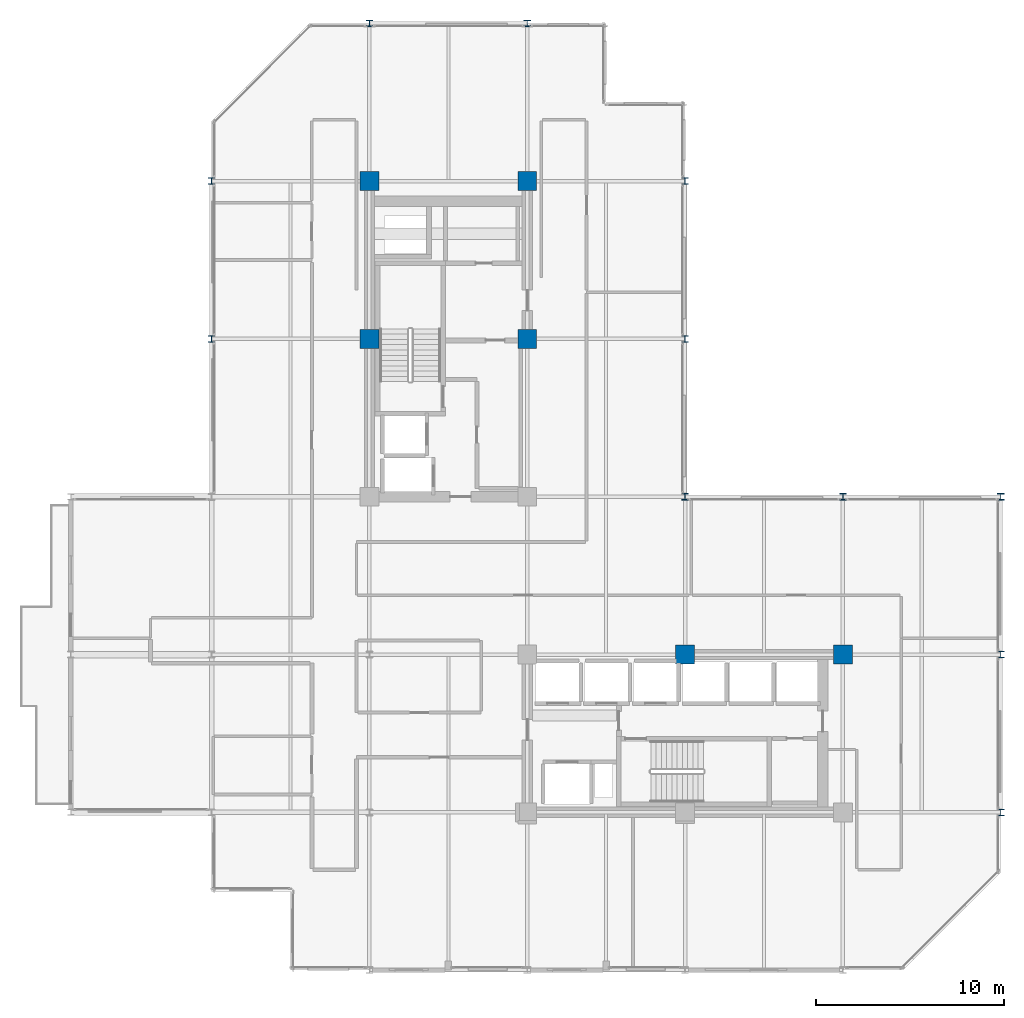
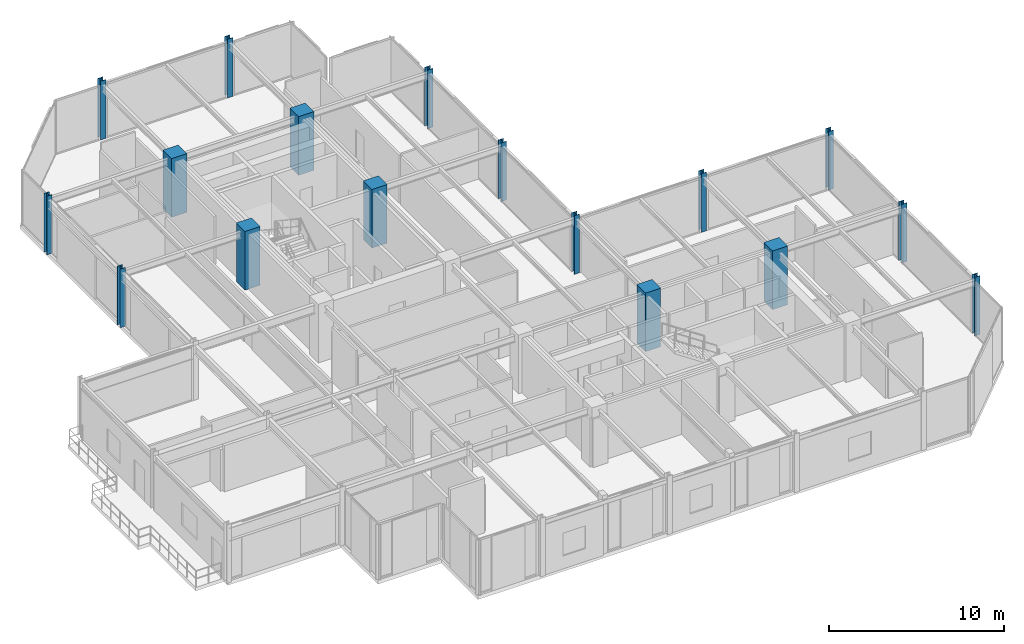
# One storey, part 2 of 29: 17 columns.
"""IFC4 building model written with IfcOpenShell, lengths in metres."""

from ifc_helpers import new_model, si_unit, direction, frame, origin, origin_2d, place, context, subcontext, project, spatial, rectangle, i_section, extrude, material, material_profile, profile_set, type_object, element, save


model = new_model("IFC4")

# Units and contexts
model_context = context("Model", 3, precision=1e-05, world=origin(), true_north=direction((0.0, 1.0)))
body_context = subcontext(model_context, "Body", "Model", "MODEL_VIEW")
ifc_project = project(units=[si_unit("LENGTHUNIT", "METRE"), si_unit("AREAUNIT", "SQUARE_METRE"), si_unit("VOLUMEUNIT", "CUBIC_METRE"), si_unit("PLANEANGLEUNIT", "RADIAN"), si_unit("MASSUNIT", "GRAM", prefix="KILO")], contexts=[model_context])

# Site, building, storey
site_placement = place(None, origin())
site = spatial("IfcSite", under=ifc_project, at=site_placement, CompositionType="ELEMENT")
building_placement = place(site_placement, origin())
building = spatial("IfcBuilding", under=site, at=building_placement, Name="Nerrivon Quay Data Exchange", CompositionType="ELEMENT")
storey_placement = place(building_placement, frame((0.0, 0.0, 200.10009765625)))
storey = spatial("IfcBuildingStorey", under=building, at=storey_placement, Name="L47", CompositionType="ELEMENT", Elevation=200.10009765625)

# Columns
ifc_material_1 = material(Name="Concrete S65 (65 MPa)", Category="concrete")
ifc_material_profile_1 = material_profile(ifc_material_1, rectangle(XDim=1.0, YDim=1.0, at=origin_2d()), Name="RC-COL-1000x1000")
ifc_profile_set_1 = profile_set([ifc_material_profile_1], Name="Concrete S65 (65 MPa)")
column_type_1 = type_object("IfcColumnType", Name="COL-C4-1000", PredefinedType="COLUMN", material=ifc_profile_set_1)
for number, where, z_axis, x_axis, name in (
    (1, (8.39990234375, 33.60009765625, 0.0), (0.0, 0.0, 1.0), (1.0, 0.0, 0.0), "L47 Column (8.4,33.6)"),
    (2, (8.39990234375, 42.0, 0.0), (0.0, 0.0, 1.0), (1.0, 0.0, 0.0), "L47 Column (8.4,42.0)"),
    (3, (16.800048828125, 33.60009765625, 0.0), (0.0, 0.0, 1.0), (1.0, 0.0, 0.0), "L47 Column (16.8,33.6)"),
    (4, (16.800048828125, 42.0, 0.0), (0.0, 0.0, 1.0), (1.0, 0.0, 0.0), "L47 Column (16.8,42.0)"),
    (5, (25.199951171875, 16.800048828125, 0.0), (0.0, 0.0, 1.0), (1.0, 0.0, 0.0), "L47 Column (25.2,16.8)"),
    (6, (33.60009765625, 16.800048828125, 0.0), (0.0, 0.0, 1.0), (1.0, 0.0, 0.0), "L47 Column (33.6,16.8)"),
):
    element("IfcColumn", number, at=place(storey_placement, frame(where, z_axis=z_axis, x_axis=x_axis)), inside=storey, type_object=column_type_1, Name=name, PredefinedType="COLUMN", context=body_context, shape_type="SweptSolid", body=[
        extrude(rectangle(XDim=1.0, YDim=1.0, at=origin_2d()), origin(), (0.0, 0.0, 1.0), 4.099853515625),
    ])
ifc_material_2 = material(Name="Steel Grade 350", Category="steel")
ifc_material_profile_2 = material_profile(ifc_material_2, i_section(OverallWidth=0.35009765625, OverallDepth=0.35009765625, WebThickness=0.02001953125, FlangeThickness=0.031982421875, at=origin_2d()), Name="350WC230")
ifc_profile_set_2 = profile_set([ifc_material_profile_2], Name="Steel Grade 350")
column_type_2 = type_object("IfcColumnType", Name="COL-SC3-350WC", PredefinedType="COLUMN", material=ifc_profile_set_2)
for number, where, z_axis, x_axis, name in (
    (7, (0.0, 33.60009765625, 0.0), (0.0, 0.0, 1.0), (1.0, 0.0, 0.0), "L47 Column (0.0,33.6)"),
    (8, (0.0, 42.0, 0.0), (0.0, 0.0, 1.0), (1.0, 0.0, 0.0), "L47 Column (0.0,42.0)"),
    (9, (8.39990234375, 50.39990234375, 0.0), (0.0, 0.0, 1.0), (1.0, 0.0, 0.0), "L47 Column (8.4,50.4)"),
    (10, (16.800048828125, 50.39990234375, 0.0), (0.0, 0.0, 1.0), (1.0, 0.0, 0.0), "L47 Column (16.8,50.4)"),
    (11, (25.199951171875, 25.199951171875, 0.0), (0.0, 0.0, 1.0), (1.0, 0.0, 0.0), "L47 Column (25.2,25.2)"),
    (12, (25.199951171875, 33.60009765625, 0.0), (0.0, 0.0, 1.0), (1.0, 0.0, 0.0), "L47 Column (25.2,33.6)"),
    (13, (25.199951171875, 42.0, 0.0), (0.0, 0.0, 1.0), (1.0, 0.0, 0.0), "L47 Column (25.2,42.0)"),
    (14, (33.60009765625, 25.199951171875, 0.0), (0.0, 0.0, 1.0), (1.0, 0.0, 0.0), "L47 Column (33.6,25.2)"),
    (15, (42.0, 8.39990234375, 0.0), (0.0, 0.0, 1.0), (1.0, 0.0, 0.0), "L47 Column (42.0,8.4)"),
    (16, (42.0, 16.800048828125, 0.0), (0.0, 0.0, 1.0), (1.0, 0.0, 0.0), "L47 Column (42.0,16.8)"),
    (17, (42.0, 25.199951171875, 0.0), (0.0, 0.0, 1.0), (1.0, 0.0, 0.0), "L47 Column (42.0,25.2)"),
):
    element("IfcColumn", number, at=place(storey_placement, frame(where, z_axis=z_axis, x_axis=x_axis)), inside=storey, type_object=column_type_2, Name=name, PredefinedType="COLUMN", context=body_context, shape_type="SweptSolid", body=[
        extrude(i_section(OverallWidth=0.35009765625, OverallDepth=0.35009765625, WebThickness=0.02001953125, FlangeThickness=0.031982421875, at=origin_2d()), origin(), (0.0, 0.0, 1.0), 4.099853515625),
    ])

save(model, "model.ifc")
